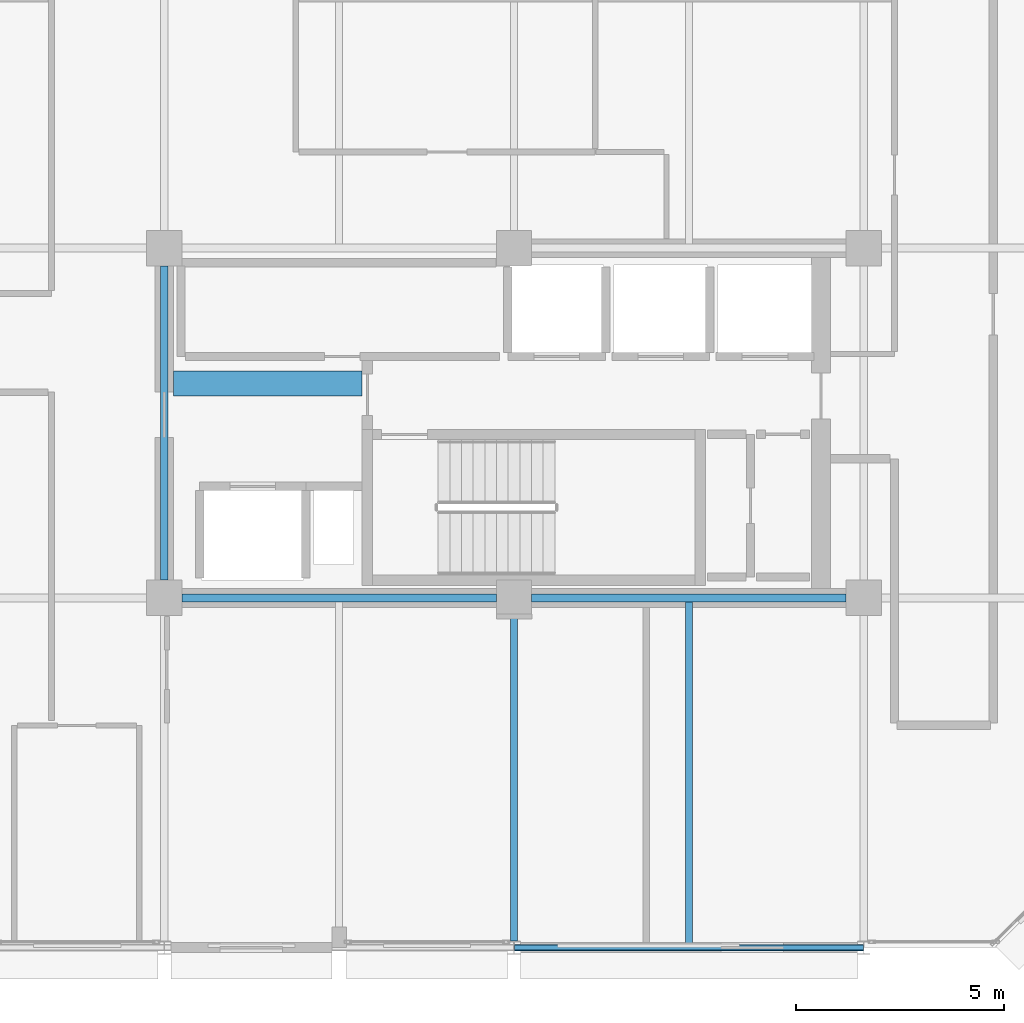
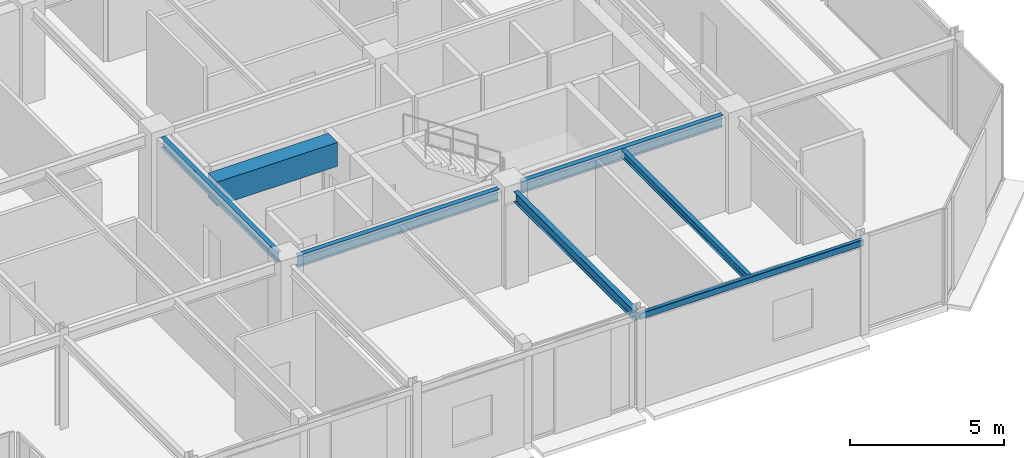
# One storey, part 8 of 27: 7 beams.
"""IFC4 building model written with IfcOpenShell, lengths in metres."""

from ifc_helpers import new_model, si_unit, direction, frame, origin, origin_2d, place, context, subcontext, project, spatial, rectangle, hollow_rectangle, i_section, extrude, material, material_profile, profile_set, type_object, element, save


model = new_model("IFC4")

# Units and contexts
model_context = context("Model", 3, precision=1e-05, world=origin(), true_north=direction((0.0, 1.0)))
body_context = subcontext(model_context, "Body", "Model", "MODEL_VIEW")
ifc_project = project(units=[si_unit("LENGTHUNIT", "METRE"), si_unit("AREAUNIT", "SQUARE_METRE"), si_unit("VOLUMEUNIT", "CUBIC_METRE"), si_unit("PLANEANGLEUNIT", "RADIAN"), si_unit("MASSUNIT", "GRAM", prefix="KILO")], contexts=[model_context])

# Site, building, storey
site_placement = place(None, origin())
site = spatial("IfcSite", under=ifc_project, at=site_placement, CompositionType="ELEMENT")
building_placement = place(site_placement, origin())
building = spatial("IfcBuilding", under=site, at=building_placement, Name="Nerrivon Quay Data Exchange", CompositionType="ELEMENT")
storey_placement = place(building_placement, frame((0.0, 0.0, 266.199951171875)))
storey = spatial("IfcBuildingStorey", under=building, at=storey_placement, Name="L63", CompositionType="ELEMENT", Elevation=266.199951171875)

# Beams
ifc_material_1 = material(Name="Concrete N50 (50 MPa)", Category="concrete")
ifc_material_profile_1 = material_profile(ifc_material_1, rectangle(XDim=0.60009765625, YDim=0.949951171875, at=origin_2d()), Name="RC-CB-600x950")
ifc_profile_set_1 = profile_set([ifc_material_profile_1], Name="Concrete N50 (50 MPa)")
beam_type_1 = type_object("IfcBeamType", Name="BM-CB2-600x950", PredefinedType="LINTEL", material=ifc_profile_set_1)
beam_1_placement = place(storey_placement, frame((17.02490234375, 13.550048828125, 3.25), z_axis=(1.0, 0.0, 0.0), x_axis=(0.0, 1.0, 0.0)))
element("IfcBeam", 1, at=beam_1_placement, inside=storey, type_object=beam_type_1, Name="L63 East Core Coupling Beam", PredefinedType="LINTEL", context=body_context, shape_type="SweptSolid", body=[
    extrude(rectangle(XDim=0.60009765625, YDim=0.949951171875, at=origin_2d()), origin(), (0.0, 0.0, 1.0), 4.530029296875),
])
ifc_material_2 = material(Name="Steel Grade 350", Category="steel")
ifc_material_profile_2 = material_profile(ifc_material_2, i_section(OverallWidth=0.18994140625, OverallDepth=0.4541015625, WebThickness=0.008544921875, FlangeThickness=0.0126953125, FilletRadius=0.011474609375, at=origin_2d()), Name="460UB67.1")
ifc_profile_set_2 = profile_set([ifc_material_profile_2], Name="Steel Grade 350")
beam_type_2 = type_object("IfcBeamType", Name="BM-G6-460UB67", PredefinedType="BEAM", material=ifc_profile_set_2)
beam_2_placement = place(storey_placement, frame((17.22509765625, 8.39990234375, 3.498046875), z_axis=(1.0, 0.0, 0.0), x_axis=(0.0, 1.0, 0.0)))
element("IfcBeam", 2, at=beam_2_placement, inside=storey, type_object=beam_type_2, Name="L63 EW Girder Y=8.4 (16.8..25.2)", PredefinedType="BEAM", context=body_context, shape_type="SweptSolid", body=[
    extrude(i_section(OverallWidth=0.18994140625, OverallDepth=0.4541015625, WebThickness=0.008544921875, FlangeThickness=0.0126953125, FilletRadius=0.011474609375, at=origin_2d()), origin(), (0.0, 0.0, 1.0), 7.5498046875),
])
beam_3_placement = place(storey_placement, frame((25.625, 8.39990234375, 3.498046875), z_axis=(1.0, 0.0, 0.0), x_axis=(0.0, 1.0, 0.0)))
element("IfcBeam", 3, at=beam_3_placement, inside=storey, type_object=beam_type_2, Name="L63 EW Girder Y=8.4 (25.2..33.6)", PredefinedType="BEAM", context=body_context, shape_type="SweptSolid", body=[
    extrude(i_section(OverallWidth=0.18994140625, OverallDepth=0.4541015625, WebThickness=0.008544921875, FlangeThickness=0.0126953125, FilletRadius=0.011474609375, at=origin_2d()), origin(), (0.0, 0.0, 1.0), 7.550048828125),
])
ifc_material_profile_3 = material_profile(ifc_material_2, i_section(OverallWidth=0.177978515625, OverallDepth=0.406005859375, WebThickness=0.0078125, FlangeThickness=0.0126953125, FilletRadius=0.011474609375, at=origin_2d()), Name="410UB59.7")
ifc_profile_set_3 = profile_set([ifc_material_profile_3], Name="Steel Grade 350")
beam_type_3 = type_object("IfcBeamType", Name="BM-J1-410UB60", PredefinedType="JOIST", material=ifc_profile_set_3)
beam_4_placement = place(storey_placement, frame((16.800048828125, 8.824951171875, 3.52197265625), z_axis=(0.0, 1.0, 0.0), x_axis=(-1.0, 0.0, 0.0)))
element("IfcBeam", 4, at=beam_4_placement, inside=storey, type_object=beam_type_3, Name="L63 NS Girder X=16.8 (8.4..16.8)", PredefinedType="JOIST", context=body_context, shape_type="SweptSolid", body=[
    extrude(i_section(OverallWidth=0.177978515625, OverallDepth=0.406005859375, WebThickness=0.0078125, FlangeThickness=0.0126953125, FilletRadius=0.011474609375, at=origin_2d()), origin(), (0.0, 0.0, 1.0), 7.550048828125),
])
beam_5_placement = place(storey_placement, frame((25.199951171875, 0.16357421875, 3.52197265625), z_axis=(0.0, 1.0, 0.0), x_axis=(-1.0, 0.0, 0.0)))
element("IfcBeam", 5, at=beam_5_placement, inside=storey, type_object=beam_type_3, Name="L63 NS Girder X=25.2 (0.0..8.4)", PredefinedType="JOIST", context=body_context, shape_type="SweptSolid", body=[
    extrude(i_section(OverallWidth=0.177978515625, OverallDepth=0.406005859375, WebThickness=0.0078125, FlangeThickness=0.0126953125, FilletRadius=0.011474609375, at=origin_2d()), origin(), (0.0, 0.0, 1.0), 7.8115234375),
])
ifc_material_profile_4 = material_profile(ifc_material_2, i_section(OverallWidth=0.1650390625, OverallDepth=0.303955078125, WebThickness=0.006103515625, FlangeThickness=0.01025390625, FilletRadius=0.011474609375, at=origin_2d()), Name="310UB40.4")
ifc_profile_set_4 = profile_set([ifc_material_profile_4], Name="Steel Grade 350")
beam_type_4 = type_object("IfcBeamType", Name="BM-J6-310UB40", PredefinedType="JOIST", material=ifc_profile_set_4)
beam_6_placement = place(storey_placement, frame((29.39990234375, 0.074951171875, 3.572998046875), z_axis=(0.0, 1.0, 0.0), x_axis=(-1.0, 0.0, 0.0)))
element("IfcBeam", 6, at=beam_6_placement, inside=storey, type_object=beam_type_4, Name="L63 Secondary Joist X=29.4 (0.0..8.4)", PredefinedType="JOIST", context=body_context, shape_type="SweptSolid", body=[
    extrude(i_section(OverallWidth=0.1650390625, OverallDepth=0.303955078125, WebThickness=0.006103515625, FlangeThickness=0.01025390625, FilletRadius=0.011474609375, at=origin_2d()), origin(), (0.0, 0.0, 1.0), 8.22998046875),
])
ifc_material_3 = material(Name="Steel Grade C350L0 (350 MPa)", Category="steel")
ifc_material_profile_5 = material_profile(ifc_material_3, hollow_rectangle(XDim=0.14990234375, YDim=0.25, WallThickness=0.009033203125, InnerFilletRadius=0.013427734375, OuterFilletRadius=0.0224609375, at=origin_2d()), Name="250x150x9.0RHS")
ifc_profile_set_5 = profile_set([ifc_material_profile_5], Name="Steel Grade C350L0 (350 MPa)")
beam_type_5 = type_object("IfcBeamType", Name="BM-SP4-250x150RHS", PredefinedType="SPANDREL", material=ifc_profile_set_5)
beam_7_placement = place(storey_placement, frame((25.2080078125, 0.0, 3.60009765625), z_axis=(1.0, 0.0, 0.0), x_axis=(0.0, 1.0, 0.0)))
element("IfcBeam", 7, at=beam_7_placement, inside=storey, type_object=beam_type_5, Name="L63 EW Girder Y=0.0 (25.2..33.6)", PredefinedType="SPANDREL", context=body_context, shape_type="SweptSolid", body=[
    extrude(hollow_rectangle(XDim=0.14990234375, YDim=0.25, WallThickness=0.009033203125, InnerFilletRadius=0.013427734375, OuterFilletRadius=0.0224609375, at=origin_2d()), origin(), (0.0, 0.0, 1.0), 8.38427734375),
])

save(model, "model.ifc")
